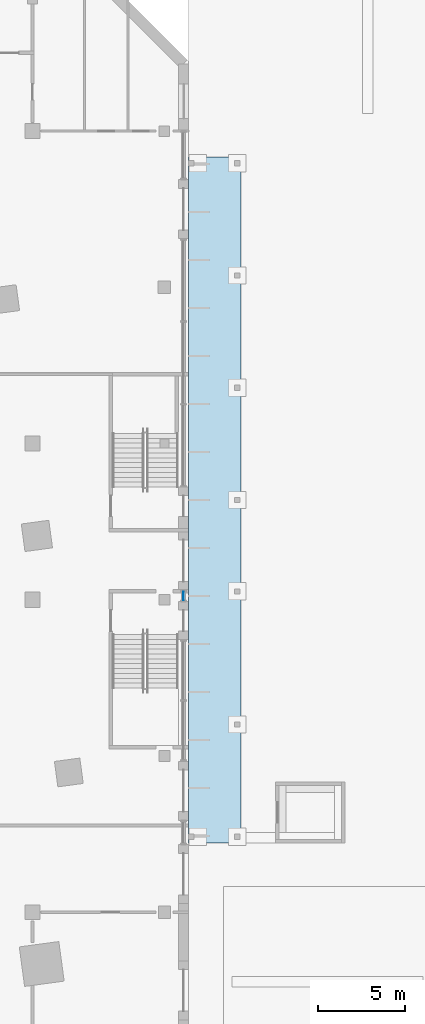
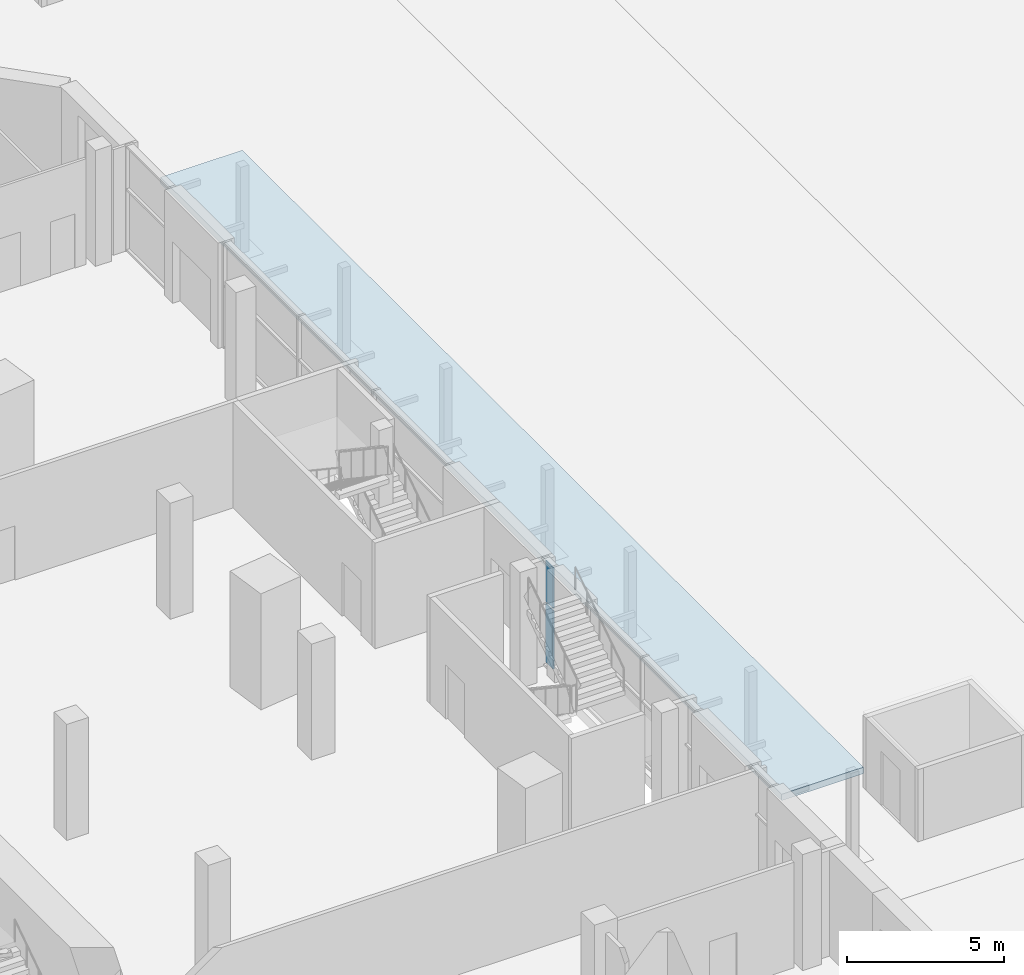
# One storey, part 21 of 42: 2 plates, 1 slab, 1 element without a shape of its own.
"""IFC4 building model written with IfcOpenShell, lengths in metres."""

from ifc_helpers import new_model, si_unit, direction, frame, origin, origin_2d, place, context, subcontext, project, spatial, polyline, rectangle, outline, extrude, material, layer, layer_set, type_object, element, aggregate, save


model = new_model("IFC4")

# Units and contexts
model_context = context("Model", 3, precision=1e-05, world=origin(), true_north=direction((0.0, 1.0)))
body_context = subcontext(model_context, "Body", "Model", "MODEL_VIEW")
ifc_project = project(units=[si_unit("LENGTHUNIT", "METRE"), si_unit("AREAUNIT", "SQUARE_METRE"), si_unit("VOLUMEUNIT", "CUBIC_METRE"), si_unit("PLANEANGLEUNIT", "RADIAN"), si_unit("MASSUNIT", "GRAM", prefix="KILO")], contexts=[model_context])

# Site, building, storey
site_placement = place(None, origin())
site = spatial("IfcSite", under=ifc_project, at=site_placement, CompositionType="ELEMENT")
building_placement = place(site_placement, origin())
building = spatial("IfcBuilding", under=site, at=building_placement, Name="Dilmun Exchange Tower", CompositionType="ELEMENT")
storey_placement = place(building_placement, origin())
storey = spatial("IfcBuildingStorey", under=building, at=storey_placement, Name="L00", CompositionType="ELEMENT", Elevation=0.0)

# Curtain wall, plates
ifc_material_1 = material(Name="Anodised aluminium and clear glass", Category="aluminium")
curtain_wall_type = type_object("IfcCurtainWallType", Name="Concourse glazing", PredefinedType="NOTDEFINED", material=ifc_material_1)
curtain_wall_placement = place(storey_placement, origin())
curtain_wall = element("IfcCurtainWall", 1, at=curtain_wall_placement, inside=storey, type_object=curtain_wall_type, Name="Concourse glazing run CG3.9", PredefinedType="NOTDEFINED")
ifc_material_2 = material(Name="Clear glass", Category="glass")
ifc_layer_1 = layer(ifc_material_2, 0.0400390625)
ifc_layer_set_1 = layer_set([ifc_layer_1], Name="Clear glass")
plate_type = type_object("IfcPlateType", Name="Concourse glazing glass panel 40", PredefinedType="CURTAIN_PANEL", material=ifc_layer_set_1)
plate_1_placement = place(storey_placement, frame((35.699951171875, 0.22509765625, 0.080078125), z_axis=(0.0, 0.0, 1.0), x_axis=(0.0, 1.0, 0.0)))
plate_1 = element("IfcPlate", 2, at=plate_1_placement, type_object=plate_type, Name="CG3.9 panel 1.1", PredefinedType="CURTAIN_PANEL", context=body_context, shape_type="SweptSolid", body=[
    extrude(rectangle(XDim=0.489990234375, YDim=0.0400390625, at=origin_2d()), origin(), (0.0, 0.0, 1.0), 2.280029296875),
])
plate_2_placement = place(storey_placement, frame((35.699951171875, 0.22509765625, 2.43994140625), z_axis=(0.0, 0.0, 1.0), x_axis=(0.0, 1.0, 0.0)))
plate_2 = element("IfcPlate", 3, at=plate_2_placement, type_object=plate_type, Name="CG3.9 panel 1.2", PredefinedType="CURTAIN_PANEL", context=body_context, shape_type="SweptSolid", body=[
    extrude(rectangle(XDim=0.489990234375, YDim=0.0400390625, at=origin_2d()), origin(), (0.0, 0.0, 1.0), 1.580078125),
])
aggregate(curtain_wall, [plate_1, plate_2])

# Slab
ifc_material_3 = material(Name="Precast concrete C40/50", Category="concrete")
ifc_layer_2 = layer(ifc_material_3, 0.25)
ifc_layer_set_2 = layer_set([ifc_layer_2], Name="Precast concrete C40/50")
slab_type = type_object("IfcSlabType", Name="Entrance canopy plate 250", PredefinedType="ROOF", material=ifc_layer_set_2)
slab_placement = place(storey_placement, frame((0.0, 0.0, 3.35009765625)))
element("IfcSlab", 4, at=slab_placement, inside=storey, type_object=slab_type, Name="Entrance canopy 3", PredefinedType="ROOF", context=body_context, shape_type="SweptSolid", body=[
    extrude(outline(polyline([(36.0, -14.0), (36.0, 25.5), (39.0, 25.5), (39.0, -14.0), (36.0, -14.0)])), origin(), (0.0, 0.0, 1.0), 0.25),
])

save(model, "model.ifc")
